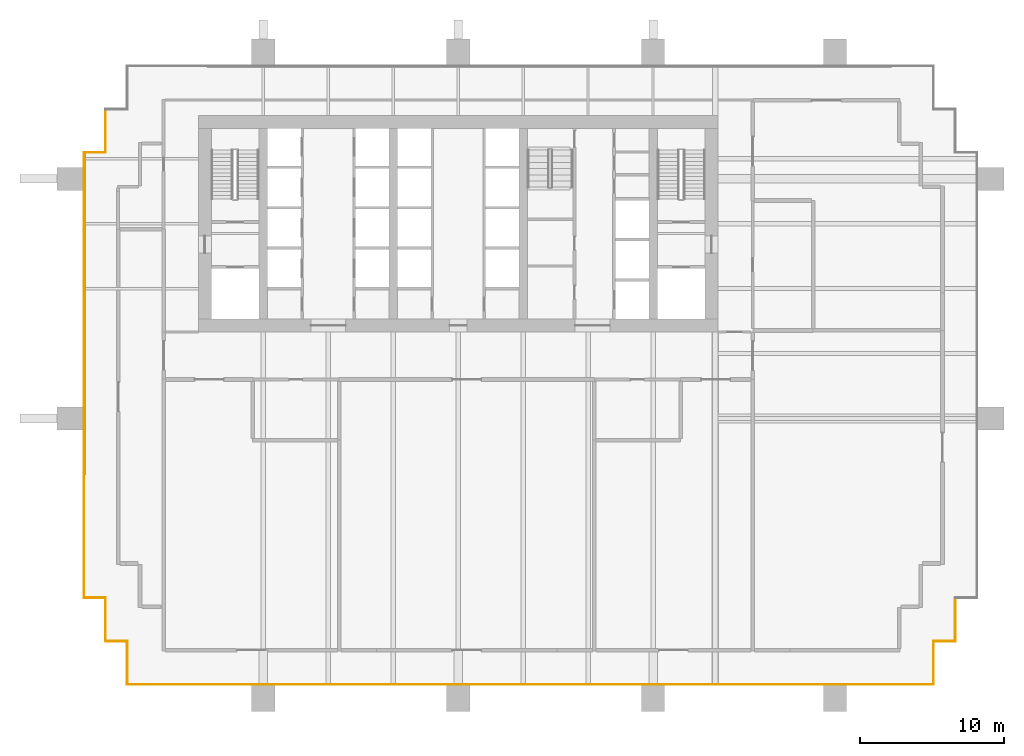
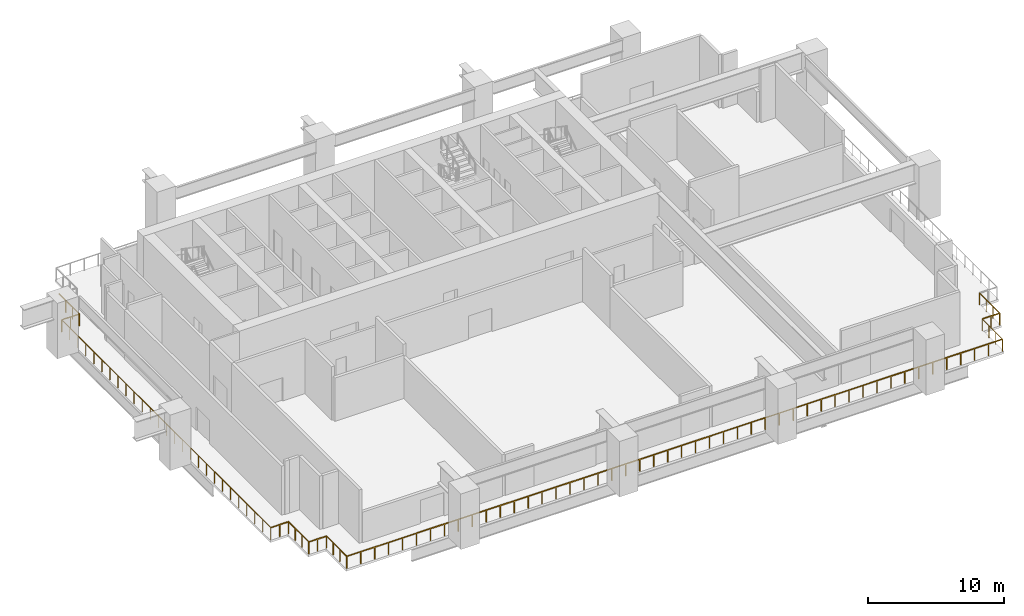
# One storey, part 6 of 9: 11 railings.
"""IFC4 building model written with IfcOpenShell, lengths in metres."""

from ifc_helpers import new_model, si_unit, direction, frame, origin, origin_2d, place, context, subcontext, project, spatial, rectangle, extrude, material, type_object, element, save


model = new_model("IFC4")

# Units and contexts
model_context = context("Model", 3, precision=1e-05, world=origin(), true_north=direction((0.0, 1.0)))
body_context = subcontext(model_context, "Body", "Model", "MODEL_VIEW")
ifc_project = project(units=[si_unit("LENGTHUNIT", "METRE"), si_unit("AREAUNIT", "SQUARE_METRE"), si_unit("VOLUMEUNIT", "CUBIC_METRE"), si_unit("PLANEANGLEUNIT", "RADIAN"), si_unit("MASSUNIT", "GRAM", prefix="KILO")], contexts=[model_context])

# Site, building, storey
site_placement = place(None, origin())
site = spatial("IfcSite", under=ifc_project, at=site_placement, CompositionType="ELEMENT")
building_placement = place(site_placement, origin())
building = spatial("IfcBuilding", under=site, at=building_placement, Name="Rattan Terrace Tower", CompositionType="ELEMENT")
storey_placement = place(building_placement, frame((0.0, 0.0, 115.699951171875)))
storey = spatial("IfcBuildingStorey", under=building, at=storey_placement, Name="L26", CompositionType="ELEMENT", Elevation=115.699951171875)

# Railings
ifc_material = material(Name="Stainless steel 316", Category="steel")
railing_type = type_object("IfcRailingType", Name="Facade Guard 1100", PredefinedType="GUARDRAIL", material=ifc_material)
railing_1_placement = place(storey_placement, frame((32.919921875, -31.919921875, 0.0)))
element("IfcRailing", 1, at=railing_1_placement, inside=storey, type_object=railing_type, Name="Guard L26-1", PredefinedType="GUARDRAIL", context=body_context, shape_type="SweptSolid", body=[
    extrude(rectangle(XDim=0.048095703125, YDim=0.048095703125, at=origin_2d()), frame((0.0, 0.0, 1.076171875), z_axis=(-1.0, 0.0, 0.0), x_axis=(0.0, -1.0, 0.0)), (0.0, 0.0, 1.0), 55.83984375),
    extrude(rectangle(XDim=0.0419921875, YDim=0.0419921875, at=origin_2d()), origin(), (0.0, 0.0, 1.0), 1.052001953125),
    extrude(rectangle(XDim=0.0419921875, YDim=0.0419921875, at=origin_2d()), frame((-1.18798828125, 0.0, 0.0)), (0.0, 0.0, 1.0), 1.052001953125),
    extrude(rectangle(XDim=0.0419921875, YDim=0.0419921875, at=origin_2d()), frame((-2.376220703125, 0.0, 0.0)), (0.0, 0.0, 1.0), 1.052001953125),
    extrude(rectangle(XDim=0.0419921875, YDim=0.0419921875, at=origin_2d()), frame((-3.564208984375, 0.0, 0.0)), (0.0, 0.0, 1.0), 1.052001953125),
    extrude(rectangle(XDim=0.0419921875, YDim=0.0419921875, at=origin_2d()), frame((-4.75244140625, 0.0, 0.0)), (0.0, 0.0, 1.0), 1.052001953125),
    extrude(rectangle(XDim=0.0419921875, YDim=0.0419921875, at=origin_2d()), frame((-5.9404296875, 0.0, 0.0)), (0.0, 0.0, 1.0), 1.052001953125),
    extrude(rectangle(XDim=0.0419921875, YDim=0.0419921875, at=origin_2d()), frame((-7.12841796875, 0.0, 0.0)), (0.0, 0.0, 1.0), 1.052001953125),
    extrude(rectangle(XDim=0.0419921875, YDim=0.0419921875, at=origin_2d()), frame((-8.316650390625, 0.0, 0.0)), (0.0, 0.0, 1.0), 1.052001953125),
    extrude(rectangle(XDim=0.0419921875, YDim=0.0419921875, at=origin_2d()), frame((-9.504638671875, 0.0, 0.0)), (0.0, 0.0, 1.0), 1.052001953125),
    extrude(rectangle(XDim=0.0419921875, YDim=0.0419921875, at=origin_2d()), frame((-10.692626953125, 0.0, 0.0)), (0.0, 0.0, 1.0), 1.052001953125),
    extrude(rectangle(XDim=0.0419921875, YDim=0.0419921875, at=origin_2d()), frame((-11.880859375, 0.0, 0.0)), (0.0, 0.0, 1.0), 1.052001953125),
    extrude(rectangle(XDim=0.0419921875, YDim=0.0419921875, at=origin_2d()), frame((-13.06884765625, 0.0, 0.0)), (0.0, 0.0, 1.0), 1.052001953125),
    extrude(rectangle(XDim=0.0419921875, YDim=0.0419921875, at=origin_2d()), frame((-14.257080078125, 0.0, 0.0)), (0.0, 0.0, 1.0), 1.052001953125),
    extrude(rectangle(XDim=0.0419921875, YDim=0.0419921875, at=origin_2d()), frame((-15.445068359375, 0.0, 0.0)), (0.0, 0.0, 1.0), 1.052001953125),
    extrude(rectangle(XDim=0.0419921875, YDim=0.0419921875, at=origin_2d()), frame((-16.633056640625, 0.0, 0.0)), (0.0, 0.0, 1.0), 1.052001953125),
    extrude(rectangle(XDim=0.0419921875, YDim=0.0419921875, at=origin_2d()), frame((-17.8212890625, 0.0, 0.0)), (0.0, 0.0, 1.0), 1.052001953125),
    extrude(rectangle(XDim=0.0419921875, YDim=0.0419921875, at=origin_2d()), frame((-19.00927734375, 0.0, 0.0)), (0.0, 0.0, 1.0), 1.052001953125),
    extrude(rectangle(XDim=0.0419921875, YDim=0.0419921875, at=origin_2d()), frame((-20.197509765625, 0.0, 0.0)), (0.0, 0.0, 1.0), 1.052001953125),
    extrude(rectangle(XDim=0.0419921875, YDim=0.0419921875, at=origin_2d()), frame((-21.385498046875, 0.0, 0.0)), (0.0, 0.0, 1.0), 1.052001953125),
    extrude(rectangle(XDim=0.0419921875, YDim=0.0419921875, at=origin_2d()), frame((-22.573486328125, 0.0, 0.0)), (0.0, 0.0, 1.0), 1.052001953125),
    extrude(rectangle(XDim=0.0419921875, YDim=0.0419921875, at=origin_2d()), frame((-23.76171875, 0.0, 0.0)), (0.0, 0.0, 1.0), 1.052001953125),
    extrude(rectangle(XDim=0.0419921875, YDim=0.0419921875, at=origin_2d()), frame((-24.94970703125, 0.0, 0.0)), (0.0, 0.0, 1.0), 1.052001953125),
    extrude(rectangle(XDim=0.0419921875, YDim=0.0419921875, at=origin_2d()), frame((-26.1376953125, 0.0, 0.0)), (0.0, 0.0, 1.0), 1.052001953125),
    extrude(rectangle(XDim=0.0419921875, YDim=0.0419921875, at=origin_2d()), frame((-27.325927734375, 0.0, 0.0)), (0.0, 0.0, 1.0), 1.052001953125),
    extrude(rectangle(XDim=0.0419921875, YDim=0.0419921875, at=origin_2d()), frame((-28.513916015625, 0.0, 0.0)), (0.0, 0.0, 1.0), 1.052001953125),
    extrude(rectangle(XDim=0.0419921875, YDim=0.0419921875, at=origin_2d()), frame((-29.7021484375, 0.0, 0.0)), (0.0, 0.0, 1.0), 1.052001953125),
    extrude(rectangle(XDim=0.0419921875, YDim=0.0419921875, at=origin_2d()), frame((-30.89013671875, 0.0, 0.0)), (0.0, 0.0, 1.0), 1.052001953125),
    extrude(rectangle(XDim=0.0419921875, YDim=0.0419921875, at=origin_2d()), frame((-32.078125, 0.0, 0.0)), (0.0, 0.0, 1.0), 1.052001953125),
    extrude(rectangle(XDim=0.0419921875, YDim=0.0419921875, at=origin_2d()), frame((-33.266357421875, 0.0, 0.0)), (0.0, 0.0, 1.0), 1.052001953125),
    extrude(rectangle(XDim=0.0419921875, YDim=0.0419921875, at=origin_2d()), frame((-34.454345703125, 0.0, 0.0)), (0.0, 0.0, 1.0), 1.052001953125),
    extrude(rectangle(XDim=0.0419921875, YDim=0.0419921875, at=origin_2d()), frame((-35.642333984375, 0.0, 0.0)), (0.0, 0.0, 1.0), 1.052001953125),
    extrude(rectangle(XDim=0.0419921875, YDim=0.0419921875, at=origin_2d()), frame((-36.83056640625, 0.0, 0.0)), (0.0, 0.0, 1.0), 1.052001953125),
    extrude(rectangle(XDim=0.0419921875, YDim=0.0419921875, at=origin_2d()), frame((-38.0185546875, 0.0, 0.0)), (0.0, 0.0, 1.0), 1.052001953125),
    extrude(rectangle(XDim=0.0419921875, YDim=0.0419921875, at=origin_2d()), frame((-39.206787109375, 0.0, 0.0)), (0.0, 0.0, 1.0), 1.052001953125),
    extrude(rectangle(XDim=0.0419921875, YDim=0.0419921875, at=origin_2d()), frame((-40.394775390625, 0.0, 0.0)), (0.0, 0.0, 1.0), 1.052001953125),
    extrude(rectangle(XDim=0.0419921875, YDim=0.0419921875, at=origin_2d()), frame((-41.582763671875, 0.0, 0.0)), (0.0, 0.0, 1.0), 1.052001953125),
    extrude(rectangle(XDim=0.0419921875, YDim=0.0419921875, at=origin_2d()), frame((-42.77099609375, 0.0, 0.0)), (0.0, 0.0, 1.0), 1.052001953125),
    extrude(rectangle(XDim=0.0419921875, YDim=0.0419921875, at=origin_2d()), frame((-43.958984375, 0.0, 0.0)), (0.0, 0.0, 1.0), 1.052001953125),
    extrude(rectangle(XDim=0.0419921875, YDim=0.0419921875, at=origin_2d()), frame((-45.147216796875, 0.0, 0.0)), (0.0, 0.0, 1.0), 1.052001953125),
    extrude(rectangle(XDim=0.0419921875, YDim=0.0419921875, at=origin_2d()), frame((-46.335205078125, 0.0, 0.0)), (0.0, 0.0, 1.0), 1.052001953125),
    extrude(rectangle(XDim=0.0419921875, YDim=0.0419921875, at=origin_2d()), frame((-47.523193359375, 0.0, 0.0)), (0.0, 0.0, 1.0), 1.052001953125),
    extrude(rectangle(XDim=0.0419921875, YDim=0.0419921875, at=origin_2d()), frame((-48.71142578125, 0.0, 0.0)), (0.0, 0.0, 1.0), 1.052001953125),
    extrude(rectangle(XDim=0.0419921875, YDim=0.0419921875, at=origin_2d()), frame((-49.8994140625, 0.0, 0.0)), (0.0, 0.0, 1.0), 1.052001953125),
    extrude(rectangle(XDim=0.0419921875, YDim=0.0419921875, at=origin_2d()), frame((-51.08740234375, 0.0, 0.0)), (0.0, 0.0, 1.0), 1.052001953125),
    extrude(rectangle(XDim=0.0419921875, YDim=0.0419921875, at=origin_2d()), frame((-52.275634765625, 0.0, 0.0)), (0.0, 0.0, 1.0), 1.052001953125),
    extrude(rectangle(XDim=0.0419921875, YDim=0.0419921875, at=origin_2d()), frame((-53.463623046875, 0.0, 0.0)), (0.0, 0.0, 1.0), 1.052001953125),
    extrude(rectangle(XDim=0.0419921875, YDim=0.0419921875, at=origin_2d()), frame((-54.65185546875, 0.0, 0.0)), (0.0, 0.0, 1.0), 1.052001953125),
])
railing_2_placement = place(storey_placement, frame((-22.919921875, -31.919921875, 0.0)))
element("IfcRailing", 2, at=railing_2_placement, inside=storey, type_object=railing_type, Name="Guard L26-2", PredefinedType="GUARDRAIL", context=body_context, shape_type="SweptSolid", body=[
    extrude(rectangle(XDim=0.048095703125, YDim=0.048095703125, at=origin_2d()), frame((0.0, 0.0, 1.076171875), z_axis=(0.0, 1.0, 0.0), x_axis=(-1.0, 0.0, 0.0)), (0.0, 0.0, 1.0), 3.0),
    extrude(rectangle(XDim=0.0419921875, YDim=0.0419921875, at=origin_2d()), origin(), (0.0, 0.0, 1.0), 1.052001953125),
    extrude(rectangle(XDim=0.0419921875, YDim=0.0419921875, at=origin_2d()), frame((0.0, 1.0, 0.0)), (0.0, 0.0, 1.0), 1.052001953125),
    extrude(rectangle(XDim=0.0419921875, YDim=0.0419921875, at=origin_2d()), frame((0.0, 2.0, 0.0)), (0.0, 0.0, 1.0), 1.052001953125),
])
railing_3_placement = place(storey_placement, frame((-22.919921875, -28.919921875, 0.0)))
element("IfcRailing", 3, at=railing_3_placement, inside=storey, type_object=railing_type, Name="Guard L26-3", PredefinedType="GUARDRAIL", context=body_context, shape_type="SweptSolid", body=[
    extrude(rectangle(XDim=0.048095703125, YDim=0.048095703125, at=origin_2d()), frame((0.0, 0.0, 1.076171875), z_axis=(-1.0, 0.0, 0.0), x_axis=(0.0, -1.0, 0.0)), (0.0, 0.0, 1.0), 1.5),
    extrude(rectangle(XDim=0.0419921875, YDim=0.0419921875, at=origin_2d()), origin(), (0.0, 0.0, 1.0), 1.052001953125),
    extrude(rectangle(XDim=0.0419921875, YDim=0.0419921875, at=origin_2d()), frame((-0.75, 0.0, 0.0)), (0.0, 0.0, 1.0), 1.052001953125),
])
railing_4_placement = place(storey_placement, frame((-24.419921875, -28.919921875, 0.0)))
element("IfcRailing", 4, at=railing_4_placement, inside=storey, type_object=railing_type, Name="Guard L26-4", PredefinedType="GUARDRAIL", context=body_context, shape_type="SweptSolid", body=[
    extrude(rectangle(XDim=0.048095703125, YDim=0.048095703125, at=origin_2d()), frame((0.0, 0.0, 1.076171875), z_axis=(0.0, 1.0, 0.0), x_axis=(-1.0, 0.0, 0.0)), (0.0, 0.0, 1.0), 3.0),
    extrude(rectangle(XDim=0.0419921875, YDim=0.0419921875, at=origin_2d()), origin(), (0.0, 0.0, 1.0), 1.052001953125),
    extrude(rectangle(XDim=0.0419921875, YDim=0.0419921875, at=origin_2d()), frame((0.0, 1.0, 0.0)), (0.0, 0.0, 1.0), 1.052001953125),
    extrude(rectangle(XDim=0.0419921875, YDim=0.0419921875, at=origin_2d()), frame((0.0, 2.0, 0.0)), (0.0, 0.0, 1.0), 1.052001953125),
])
railing_5_placement = place(storey_placement, frame((-24.419921875, -25.919921875, 0.0)))
element("IfcRailing", 5, at=railing_5_placement, inside=storey, type_object=railing_type, Name="Guard L26-5", PredefinedType="GUARDRAIL", context=body_context, shape_type="SweptSolid", body=[
    extrude(rectangle(XDim=0.048095703125, YDim=0.048095703125, at=origin_2d()), frame((0.0, 0.0, 1.076171875), z_axis=(-1.0, 0.0, 0.0), x_axis=(0.0, -1.0, 0.0)), (0.0, 0.0, 1.0), 1.5),
    extrude(rectangle(XDim=0.0419921875, YDim=0.0419921875, at=origin_2d()), origin(), (0.0, 0.0, 1.0), 1.052001953125),
    extrude(rectangle(XDim=0.0419921875, YDim=0.0419921875, at=origin_2d()), frame((-0.75, 0.0, 0.0)), (0.0, 0.0, 1.0), 1.052001953125),
])
railing_6_placement = place(storey_placement, frame((-25.919921875, -25.919921875, 0.0)))
element("IfcRailing", 6, at=railing_6_placement, inside=storey, type_object=railing_type, Name="Guard L26-6", PredefinedType="GUARDRAIL", context=body_context, shape_type="SweptSolid", body=[
    extrude(rectangle(XDim=0.048095703125, YDim=0.048095703125, at=origin_2d()), frame((0.0, 0.0, 1.076171875), z_axis=(0.0, 1.0, 0.0), x_axis=(-1.0, 0.0, 0.0)), (0.0, 0.0, 1.0), 30.83984375),
    extrude(rectangle(XDim=0.0419921875, YDim=0.0419921875, at=origin_2d()), origin(), (0.0, 0.0, 1.0), 1.052001953125),
    extrude(rectangle(XDim=0.0419921875, YDim=0.0419921875, at=origin_2d()), frame((0.0, 1.18603515625, 0.0)), (0.0, 0.0, 1.0), 1.052001953125),
    extrude(rectangle(XDim=0.0419921875, YDim=0.0419921875, at=origin_2d()), frame((0.0, 2.372314453125, 0.0)), (0.0, 0.0, 1.0), 1.052001953125),
    extrude(rectangle(XDim=0.0419921875, YDim=0.0419921875, at=origin_2d()), frame((0.0, 3.558349609375, 0.0)), (0.0, 0.0, 1.0), 1.052001953125),
    extrude(rectangle(XDim=0.0419921875, YDim=0.0419921875, at=origin_2d()), frame((0.0, 4.74462890625, 0.0)), (0.0, 0.0, 1.0), 1.052001953125),
    extrude(rectangle(XDim=0.0419921875, YDim=0.0419921875, at=origin_2d()), frame((0.0, 5.9306640625, 0.0)), (0.0, 0.0, 1.0), 1.052001953125),
    extrude(rectangle(XDim=0.0419921875, YDim=0.0419921875, at=origin_2d()), frame((0.0, 7.116943359375, 0.0)), (0.0, 0.0, 1.0), 1.052001953125),
    extrude(rectangle(XDim=0.0419921875, YDim=0.0419921875, at=origin_2d()), frame((0.0, 8.302978515625, 0.0)), (0.0, 0.0, 1.0), 1.052001953125),
    extrude(rectangle(XDim=0.0419921875, YDim=0.0419921875, at=origin_2d()), frame((0.0, 9.4892578125, 0.0)), (0.0, 0.0, 1.0), 1.052001953125),
    extrude(rectangle(XDim=0.0419921875, YDim=0.0419921875, at=origin_2d()), frame((0.0, 10.67529296875, 0.0)), (0.0, 0.0, 1.0), 1.052001953125),
    extrude(rectangle(XDim=0.0419921875, YDim=0.0419921875, at=origin_2d()), frame((0.0, 11.861572265625, 0.0)), (0.0, 0.0, 1.0), 1.052001953125),
    extrude(rectangle(XDim=0.0419921875, YDim=0.0419921875, at=origin_2d()), frame((0.0, 13.047607421875, 0.0)), (0.0, 0.0, 1.0), 1.052001953125),
    extrude(rectangle(XDim=0.0419921875, YDim=0.0419921875, at=origin_2d()), frame((0.0, 14.23388671875, 0.0)), (0.0, 0.0, 1.0), 1.052001953125),
    extrude(rectangle(XDim=0.0419921875, YDim=0.0419921875, at=origin_2d()), frame((0.0, 15.419921875, 0.0)), (0.0, 0.0, 1.0), 1.052001953125),
    extrude(rectangle(XDim=0.0419921875, YDim=0.0419921875, at=origin_2d()), frame((0.0, 16.60595703125, 0.0)), (0.0, 0.0, 1.0), 1.052001953125),
    extrude(rectangle(XDim=0.0419921875, YDim=0.0419921875, at=origin_2d()), frame((0.0, 17.792236328125, 0.0)), (0.0, 0.0, 1.0), 1.052001953125),
    extrude(rectangle(XDim=0.0419921875, YDim=0.0419921875, at=origin_2d()), frame((0.0, 18.978271484375, 0.0)), (0.0, 0.0, 1.0), 1.052001953125),
    extrude(rectangle(XDim=0.0419921875, YDim=0.0419921875, at=origin_2d()), frame((0.0, 20.16455078125, 0.0)), (0.0, 0.0, 1.0), 1.052001953125),
    extrude(rectangle(XDim=0.0419921875, YDim=0.0419921875, at=origin_2d()), frame((0.0, 21.3505859375, 0.0)), (0.0, 0.0, 1.0), 1.052001953125),
    extrude(rectangle(XDim=0.0419921875, YDim=0.0419921875, at=origin_2d()), frame((0.0, 22.536865234375, 0.0)), (0.0, 0.0, 1.0), 1.052001953125),
    extrude(rectangle(XDim=0.0419921875, YDim=0.0419921875, at=origin_2d()), frame((0.0, 23.722900390625, 0.0)), (0.0, 0.0, 1.0), 1.052001953125),
    extrude(rectangle(XDim=0.0419921875, YDim=0.0419921875, at=origin_2d()), frame((0.0, 24.9091796875, 0.0)), (0.0, 0.0, 1.0), 1.052001953125),
    extrude(rectangle(XDim=0.0419921875, YDim=0.0419921875, at=origin_2d()), frame((0.0, 26.09521484375, 0.0)), (0.0, 0.0, 1.0), 1.052001953125),
    extrude(rectangle(XDim=0.0419921875, YDim=0.0419921875, at=origin_2d()), frame((0.0, 27.281494140625, 0.0)), (0.0, 0.0, 1.0), 1.052001953125),
    extrude(rectangle(XDim=0.0419921875, YDim=0.0419921875, at=origin_2d()), frame((0.0, 28.467529296875, 0.0)), (0.0, 0.0, 1.0), 1.052001953125),
    extrude(rectangle(XDim=0.0419921875, YDim=0.0419921875, at=origin_2d()), frame((0.0, 29.65380859375, 0.0)), (0.0, 0.0, 1.0), 1.052001953125),
])
railing_7_placement = place(storey_placement, frame((-25.919921875, 4.919921875, 0.0)))
element("IfcRailing", 7, at=railing_7_placement, inside=storey, type_object=railing_type, Name="Guard L26-7", PredefinedType="GUARDRAIL", context=body_context, shape_type="SweptSolid", body=[
    extrude(rectangle(XDim=0.048095703125, YDim=0.048095703125, at=origin_2d()), frame((0.0, 0.0, 1.076171875), z_axis=(1.0, 0.0, 0.0), x_axis=(0.0, 1.0, 0.0)), (0.0, 0.0, 1.0), 1.5),
    extrude(rectangle(XDim=0.0419921875, YDim=0.0419921875, at=origin_2d()), origin(), (0.0, 0.0, 1.0), 1.052001953125),
    extrude(rectangle(XDim=0.0419921875, YDim=0.0419921875, at=origin_2d()), frame((0.75, 0.0, 0.0)), (0.0, 0.0, 1.0), 1.052001953125),
])
railing_8_placement = place(storey_placement, frame((-24.419921875, 4.919921875, 0.0)))
element("IfcRailing", 8, at=railing_8_placement, inside=storey, type_object=railing_type, Name="Guard L26-8", PredefinedType="GUARDRAIL", context=body_context, shape_type="SweptSolid", body=[
    extrude(rectangle(XDim=0.048095703125, YDim=0.048095703125, at=origin_2d()), frame((0.0, 0.0, 1.076171875), z_axis=(0.0, 1.0, 0.0), x_axis=(-1.0, 0.0, 0.0)), (0.0, 0.0, 1.0), 3.0),
    extrude(rectangle(XDim=0.0419921875, YDim=0.0419921875, at=origin_2d()), origin(), (0.0, 0.0, 1.0), 1.052001953125),
    extrude(rectangle(XDim=0.0419921875, YDim=0.0419921875, at=origin_2d()), frame((0.0, 1.0, 0.0)), (0.0, 0.0, 1.0), 1.052001953125),
    extrude(rectangle(XDim=0.0419921875, YDim=0.0419921875, at=origin_2d()), frame((0.0, 2.0, 0.0)), (0.0, 0.0, 1.0), 1.052001953125),
])
railing_9_placement = place(storey_placement, frame((34.419921875, -25.919921875, 0.0)))
element("IfcRailing", 9, at=railing_9_placement, inside=storey, type_object=railing_type, Name="Guard L26-18", PredefinedType="GUARDRAIL", context=body_context, shape_type="SweptSolid", body=[
    extrude(rectangle(XDim=0.048095703125, YDim=0.048095703125, at=origin_2d()), frame((0.0, 0.0, 1.076171875), z_axis=(0.0, -1.0, 0.0), x_axis=(1.0, 0.0, 0.0)), (0.0, 0.0, 1.0), 3.0),
    extrude(rectangle(XDim=0.0419921875, YDim=0.0419921875, at=origin_2d()), origin(), (0.0, 0.0, 1.0), 1.052001953125),
    extrude(rectangle(XDim=0.0419921875, YDim=0.0419921875, at=origin_2d()), frame((0.0, -1.0, 0.0)), (0.0, 0.0, 1.0), 1.052001953125),
    extrude(rectangle(XDim=0.0419921875, YDim=0.0419921875, at=origin_2d()), frame((0.0, -2.0, 0.0)), (0.0, 0.0, 1.0), 1.052001953125),
])
railing_10_placement = place(storey_placement, frame((34.419921875, -28.919921875, 0.0)))
element("IfcRailing", 10, at=railing_10_placement, inside=storey, type_object=railing_type, Name="Guard L26-19", PredefinedType="GUARDRAIL", context=body_context, shape_type="SweptSolid", body=[
    extrude(rectangle(XDim=0.048095703125, YDim=0.048095703125, at=origin_2d()), frame((0.0, 0.0, 1.076171875), z_axis=(-1.0, 0.0, 0.0), x_axis=(0.0, -1.0, 0.0)), (0.0, 0.0, 1.0), 1.5),
    extrude(rectangle(XDim=0.0419921875, YDim=0.0419921875, at=origin_2d()), origin(), (0.0, 0.0, 1.0), 1.052001953125),
    extrude(rectangle(XDim=0.0419921875, YDim=0.0419921875, at=origin_2d()), frame((-0.75, 0.0, 0.0)), (0.0, 0.0, 1.0), 1.052001953125),
])
railing_11_placement = place(storey_placement, frame((32.919921875, -28.919921875, 0.0)))
element("IfcRailing", 11, at=railing_11_placement, inside=storey, type_object=railing_type, Name="Guard L26-20", PredefinedType="GUARDRAIL", context=body_context, shape_type="SweptSolid", body=[
    extrude(rectangle(XDim=0.048095703125, YDim=0.048095703125, at=origin_2d()), frame((0.0, 0.0, 1.076171875), z_axis=(0.0, -1.0, 0.0), x_axis=(1.0, 0.0, 0.0)), (0.0, 0.0, 1.0), 3.0),
    extrude(rectangle(XDim=0.0419921875, YDim=0.0419921875, at=origin_2d()), origin(), (0.0, 0.0, 1.0), 1.052001953125),
    extrude(rectangle(XDim=0.0419921875, YDim=0.0419921875, at=origin_2d()), frame((0.0, -1.0, 0.0)), (0.0, 0.0, 1.0), 1.052001953125),
    extrude(rectangle(XDim=0.0419921875, YDim=0.0419921875, at=origin_2d()), frame((0.0, -2.0, 0.0)), (0.0, 0.0, 1.0), 1.052001953125),
])

save(model, "model.ifc")
